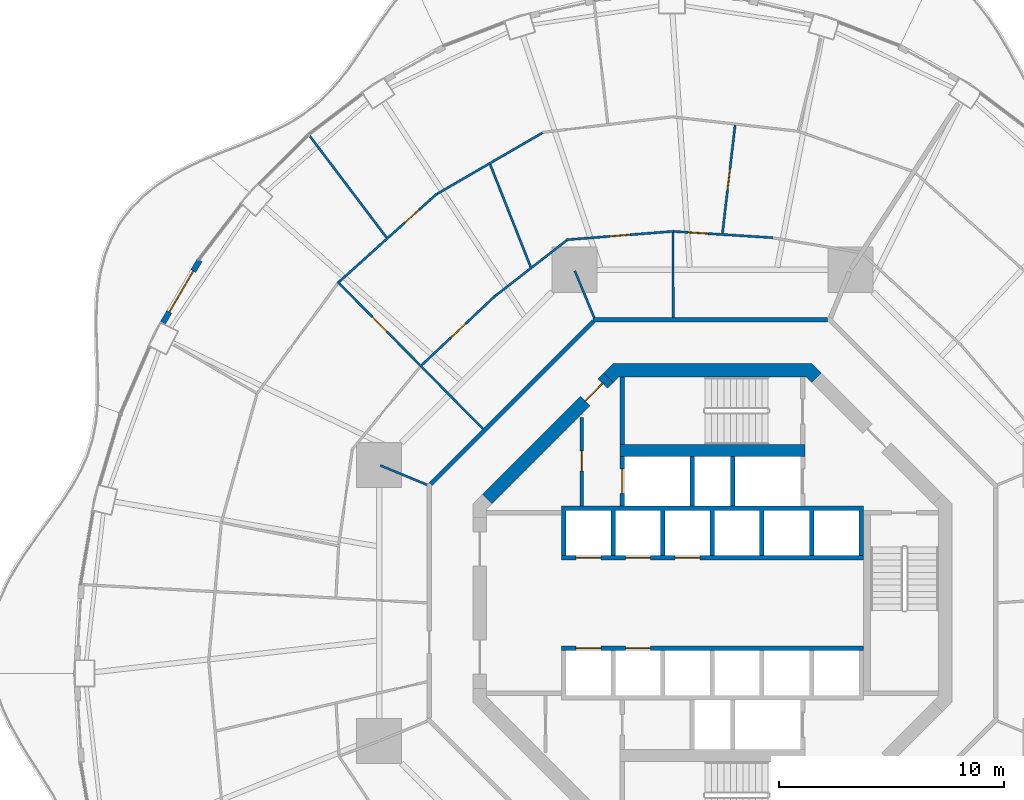
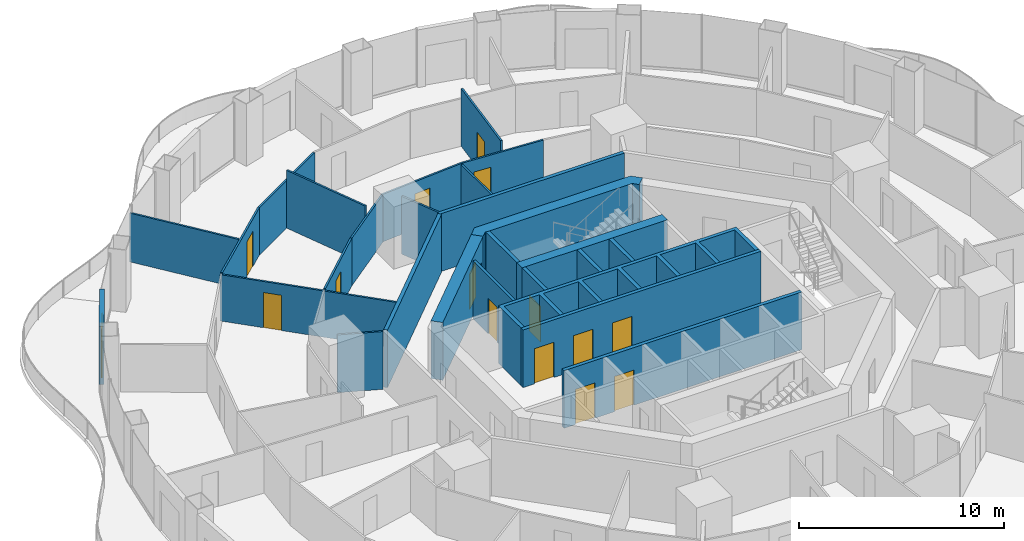
# One storey, part 14 of 19: 27 walls, 15 doors, 15 openings.
"""IFC4 building model written with IfcOpenShell, lengths in metres."""

from ifc_helpers import new_model, si_unit, direction, frame, frame_2d, origin, place, context, subcontext, project, spatial, polyline, rectangle, outline, extrude, material, layer, layer_set, type_object, element, fill, save


model = new_model("IFC4")

# Units and contexts
model_context = context("Model", 3, precision=1e-05, world=origin(), true_north=direction((0.0, 1.0)))
body_context = subcontext(model_context, "Body", "Model", "MODEL_VIEW")
ifc_project = project(units=[si_unit("LENGTHUNIT", "METRE"), si_unit("AREAUNIT", "SQUARE_METRE"), si_unit("VOLUMEUNIT", "CUBIC_METRE"), si_unit("PLANEANGLEUNIT", "RADIAN"), si_unit("MASSUNIT", "GRAM", prefix="KILO")], contexts=[model_context])

# Site, building, storey
site_placement = place(None, origin())
site = spatial("IfcSite", under=ifc_project, at=site_placement, CompositionType="ELEMENT")
building_placement = place(site_placement, origin())
building = spatial("IfcBuilding", under=site, at=building_placement, Name="Nagisa Residences", CompositionType="ELEMENT")
storey_placement = place(building_placement, frame((0.0, 0.0, 149.199951171875)))
storey = spatial("IfcBuildingStorey", under=building, at=storey_placement, Name="L37", CompositionType="ELEMENT", Elevation=149.199951171875)

# Walls
ifc_material_1 = material(Name="Gypsum board on steel studs", Category="steel")
ifc_layer_1 = layer(ifc_material_1, 0.199951171875)
ifc_layer_set_1 = layer_set([ifc_layer_1], Name="Apartment entry wall EI60 200")
wall_type_1 = type_object("IfcWallType", Name="Apartment entry wall EI60 200", PredefinedType="PARTITIONING", material=ifc_layer_set_1)
wall_1_placement = place(storey_placement, frame((5.1044921875, 12.564697265625, 0.0), z_axis=(0.0, 0.0, 1.0), x_axis=(-1.0, 0.0, 0.0)))
element("IfcWall", 1, at=wall_1_placement, inside=storey, type_object=wall_type_1, Name="wall:L37:u06", PredefinedType="PARTITIONING", context=body_context, shape_type="SweptSolid", body=[
    extrude(rectangle(XDim=10.408935546875, YDim=0.199951171875, at=frame_2d((5.20458984375, 0.0))), origin(), (0.0, 0.0, 1.0), 3.43994140625),
])
wall_2_placement = place(storey_placement, frame((-5.275146484375, 12.494140625, 0.0), z_axis=(0.0, 0.0, 1.0), x_axis=(-0.707106781187, -0.707106781187, 0.0)))
element("IfcWall", 2, at=wall_2_placement, inside=storey, type_object=wall_type_1, Name="wall:L37:u07", PredefinedType="PARTITIONING", context=body_context, shape_type="SweptSolid", body=[
    extrude(rectangle(XDim=10.209228515625, YDim=0.199951171875, at=frame_2d((5.1044921875, 0.0))), origin(), (0.0, 0.0, 1.0), 3.43994140625),
])

# Wall, opening, door
ifc_material_2 = material(Name="Gypsum board on steel studs", Category="steel")
ifc_layer_2 = layer(ifc_material_2, 0.10009765625)
ifc_layer_set_2 = layer_set([ifc_layer_2], Name="Apartment partition 100")
wall_type_2 = type_object("IfcWallType", Name="Apartment partition 100", PredefinedType="PARTITIONING", material=ifc_layer_set_2)
wall_3_placement = place(storey_placement, frame((2.6845703125, 16.2021484375, 0.0), z_axis=(0.0, 0.0, 1.0), x_axis=(-0.998000808042, 0.063201164138, 0.0)))
wall_3 = element("IfcWall", 3, at=wall_3_placement, inside=storey, type_object=wall_type_2, Name="wall:L37:u30", PredefinedType="PARTITIONING", context=body_context, shape_type="SweptSolid", body=[
    extrude(rectangle(XDim=4.39599609375, YDim=0.10009765625, at=frame_2d((2.197998046875, 0.0))), origin(), (0.0, 0.0, 1.0), 2.828125),
])
opening_1_placement = place(wall_3_placement, frame((2.8720703125, 0.0, 0.0)))
opening_1 = element("IfcOpeningElement", 4, at=opening_1_placement, cuts=wall_3, Name="Opening L37-U45", PredefinedType="OPENING", context=body_context, shape_type="SweptSolid", body=[
    extrude(rectangle(XDim=0.89990234375, YDim=2.10009765625, at=frame_2d((0.449951171875, 1.050048828125))), frame((0.0, 0.06005859375, 0.0), z_axis=(0.0, -1.0, 0.0), x_axis=(1.0, 0.0, 0.0)), (0.0, 0.0, 1.0), 0.1201171875),
])
ifc_material_3 = material(Name="Timber door set", Category="wood")
door_type_1 = type_object("IfcDoorType", Name="Apartment door 900x2100", OperationType="NOTDEFINED", PredefinedType="DOOR", material=ifc_material_3)
door_1_placement = place(opening_1_placement, origin())
door_1 = element("IfcDoor", 5, at=door_1_placement, inside=storey, type_object=door_type_1, Name="Door to store, Apartment 37B", OperationType="SINGLE_SWING_LEFT", OverallHeight=2.10009765625, OverallWidth=0.89990234375, PredefinedType="DOOR", context=body_context, shape_type="SweptSolid", body=[
    extrude(rectangle(XDim=0.89990234375, YDim=2.10009765625, at=frame_2d((0.449951171875, 1.050048828125))), frame((0.0, 0.02490234375, 0.0), z_axis=(0.0, -1.0, 0.0), x_axis=(1.0, 0.0, 0.0)), (0.0, 0.0, 1.0), 0.050048828125),
])
fill(opening_1, door_1)

wall_4_placement = place(storey_placement, frame((0.447021484375, 16.393798828125, 0.0), z_axis=(0.0, 0.0, 1.0), x_axis=(0.11594133888, 0.993256062624, 0.0)))
wall_4 = element("IfcWall", 6, at=wall_4_placement, inside=storey, type_object=wall_type_2, Name="wall:L37:u33", PredefinedType="PARTITIONING", context=body_context, shape_type="SweptSolid", body=[
    extrude(rectangle(XDim=4.83251953125, YDim=0.10009765625, at=frame_2d((2.416259765625, 0.0))), origin(), (0.0, 0.0, 1.0), 3.43994140625),
])
opening_2_placement = place(wall_4_placement, frame((1.96630859375, 0.0, 0.0)))
opening_2 = element("IfcOpeningElement", 7, at=opening_2_placement, cuts=wall_4, Name="Opening L37-U47", PredefinedType="OPENING", context=body_context, shape_type="SweptSolid", body=[
    extrude(rectangle(XDim=0.89990234375, YDim=2.10009765625, at=frame_2d((0.449951171875, 1.050048828125))), frame((0.0, 0.06005859375, 0.0), z_axis=(0.0, -1.0, 0.0), x_axis=(1.0, 0.0, 0.0)), (0.0, 0.0, 1.0), 0.1201171875),
])
door_2_placement = place(opening_2_placement, frame((0.89990234375, 0.0, 0.0), x_axis=(-1.0, 0.0, 0.0)))
door_2 = element("IfcDoor", 8, at=door_2_placement, inside=storey, type_object=door_type_1, Name="Door to study, Apartment 37B", OperationType="SINGLE_SWING_RIGHT", OverallHeight=2.10009765625, OverallWidth=0.89990234375, PredefinedType="DOOR", context=body_context, shape_type="SweptSolid", body=[
    extrude(rectangle(XDim=0.89990234375, YDim=2.10009765625, at=frame_2d((0.449951171875, 1.050048828125))), frame((0.0, 0.02490234375, 0.0), z_axis=(0.0, -1.0, 0.0), x_axis=(1.0, 0.0, 0.0)), (0.0, 0.0, 1.0), 0.050048828125),
])
fill(opening_2, door_2)

# Wall
wall_5_placement = place(storey_placement, frame((-1.7353515625, 12.664794921875, 0.0), z_axis=(0.0, 0.0, 1.0), x_axis=(-0.004470314905, 0.999990008092, 0.0)))
element("IfcWall", 9, at=wall_5_placement, inside=storey, type_object=wall_type_2, Name="wall:L37:u34", PredefinedType="PARTITIONING", context=body_context, shape_type="SweptSolid", body=[
    extrude(rectangle(XDim=3.768310546875, YDim=0.10009765625, at=frame_2d((1.88427734375, 0.0))), origin(), (0.0, 0.0, 1.0), 2.756103515625),
])

# Wall, opening, door
wall_6_placement = place(storey_placement, frame((-1.70263671875, 16.487060546875, 0.0), z_axis=(0.0, 0.0, 1.0), x_axis=(-0.996909618175, -0.078557069641, 0.0)))
wall_6 = element("IfcWall", 10, at=wall_6_placement, inside=storey, type_object=wall_type_2, Name="wall:L37:u35", PredefinedType="PARTITIONING", context=body_context, shape_type="SweptSolid", body=[
    extrude(rectangle(XDim=4.7861328125, YDim=0.10009765625, at=frame_2d((2.39306640625, 0.0))), origin(), (0.0, 0.0, 1.0), 2.828125),
])
opening_3_placement = place(wall_6_placement, frame((1.943115234375, 0.0, 0.0)))
opening_3 = element("IfcOpeningElement", 11, at=opening_3_placement, cuts=wall_6, Name="Opening L37-U46", PredefinedType="OPENING", context=body_context, shape_type="SweptSolid", body=[
    extrude(rectangle(XDim=0.89990234375, YDim=2.10009765625, at=frame_2d((0.449951171875, 1.050048828125))), frame((0.0, 0.06005859375, 0.0), z_axis=(0.0, -1.0, 0.0), x_axis=(1.0, 0.0, 0.0)), (0.0, 0.0, 1.0), 0.1201171875),
])
door_3_placement = place(opening_3_placement, origin())
door_3 = element("IfcDoor", 12, at=door_3_placement, inside=storey, type_object=door_type_1, Name="Door to laundry, Apartment 37B", OperationType="SINGLE_SWING_RIGHT", OverallHeight=2.10009765625, OverallWidth=0.89990234375, PredefinedType="DOOR", context=body_context, shape_type="SweptSolid", body=[
    extrude(rectangle(XDim=0.89990234375, YDim=2.10009765625, at=frame_2d((0.449951171875, 1.050048828125))), frame((0.0, 0.02490234375, 0.0), z_axis=(0.0, -1.0, 0.0), x_axis=(1.0, 0.0, 0.0)), (0.0, 0.0, 1.0), 0.050048828125),
])
fill(opening_3, door_3)

# Walls
wall_7_placement = place(storey_placement, frame((-5.24267578125, 12.6572265625, 0.0), z_axis=(0.0, 0.0, 1.0), x_axis=(-0.382719158442, 0.923864733477, 0.0)))
element("IfcWall", 13, at=wall_7_placement, inside=storey, type_object=wall_type_2, Name="wall:L37:u38", PredefinedType="PARTITIONING", context=body_context, shape_type="SweptSolid", body=[
    extrude(rectangle(XDim=2.25, YDim=0.10009765625, at=frame_2d((1.125, 0.0))), origin(), (0.0, 0.0, 1.0), 3.43994140625),
])
wall_8_placement = place(storey_placement, frame((-6.46337890625, 16.084228515625, 0.0), z_axis=(0.0, 0.0, 1.0), x_axis=(-0.789457442969, -0.613805299538, 0.0)))
element("IfcWall", 14, at=wall_8_placement, inside=storey, type_object=wall_type_2, Name="wall:L37:u39", PredefinedType="PARTITIONING", context=body_context, shape_type="SweptSolid", body=[
    extrude(rectangle(XDim=3.997314453125, YDim=0.10009765625, at=frame_2d((1.99853515625, 0.0))), origin(), (0.0, 0.0, 1.0), 2.828125),
])
wall_9_placement = place(storey_placement, frame((-7.54296875, 20.8525390625, 0.0), z_axis=(0.0, 0.0, 1.0), x_axis=(-0.865086194899, -0.501623240485, 0.0)))
element("IfcWall", 15, at=wall_9_placement, inside=storey, type_object=wall_type_2, Name="wall:L37:u40", PredefinedType="PARTITIONING", context=body_context, shape_type="SweptSolid", body=[
    extrude(rectangle(XDim=5.39306640625, YDim=0.10009765625, at=frame_2d((2.696533203125, 0.0))), origin(), (0.0, 0.0, 1.0), 2.828125),
])
wall_10_placement = place(storey_placement, frame((-8.0595703125, 14.904052734375, 0.0), z_axis=(0.0, 0.0, 1.0), x_axis=(-0.367532408503, 0.930010714293, 0.0)))
element("IfcWall", 16, at=wall_10_placement, inside=storey, type_object=wall_type_2, Name="wall:L37:u41", PredefinedType="PARTITIONING", context=body_context, shape_type="SweptSolid", body=[
    extrude(rectangle(XDim=4.8916015625, YDim=0.10009765625, at=frame_2d((2.44580078125, 0.0))), origin(), (0.0, 0.0, 1.0), 3.43994140625),
])

# Wall, opening, door
wall_11_placement = place(storey_placement, frame((-9.6220703125, 13.63427734375, 0.0), z_axis=(0.0, 0.0, 1.0), x_axis=(-0.727710859679, -0.685884031528, 0.0)))
wall_11 = element("IfcWall", 17, at=wall_11_placement, inside=storey, type_object=wall_type_2, Name="wall:L37:u42", PredefinedType="PARTITIONING", context=body_context, shape_type="SweptSolid", body=[
    extrude(rectangle(XDim=4.500244140625, YDim=0.10009765625, at=frame_2d((2.25, 0.0))), origin(), (0.0, 0.0, 1.0), 2.828125),
])
opening_4_placement = place(wall_11_placement, frame((1.8251953125, 0.0, 0.0)))
opening_4 = element("IfcOpeningElement", 18, at=opening_4_placement, cuts=wall_11, Name="Opening L37-U42", PredefinedType="OPENING", context=body_context, shape_type="SweptSolid", body=[
    extrude(rectangle(XDim=0.89990234375, YDim=2.10009765625, at=frame_2d((0.449951171875, 1.050048828125))), frame((0.0, 0.06005859375, 0.0), z_axis=(0.0, -1.0, 0.0), x_axis=(1.0, 0.0, 0.0)), (0.0, 0.0, 1.0), 0.1201171875),
])
door_4_placement = place(opening_4_placement, origin())
door_4 = element("IfcDoor", 19, at=door_4_placement, inside=storey, type_object=door_type_1, Name="Door to laundry, Apartment 37B", OperationType="SINGLE_SWING_RIGHT", OverallHeight=2.10009765625, OverallWidth=0.89990234375, PredefinedType="DOOR", context=body_context, shape_type="SweptSolid", body=[
    extrude(rectangle(XDim=0.89990234375, YDim=2.10009765625, at=frame_2d((0.449951171875, 1.050048828125))), frame((0.0, 0.02490234375, 0.0), z_axis=(0.0, -1.0, 0.0), x_axis=(1.0, 0.0, 0.0)), (0.0, 0.0, 1.0), 0.050048828125),
])
fill(opening_4, door_4)

wall_12_placement = place(storey_placement, frame((-12.214599609375, 18.155517578125, 0.0), z_axis=(0.0, 0.0, 1.0), x_axis=(-0.743159001815, -0.669114861606, 0.0)))
wall_12 = element("IfcWall", 20, at=wall_12_placement, inside=storey, type_object=wall_type_2, Name="wall:L37:u43", PredefinedType="PARTITIONING", context=body_context, shape_type="SweptSolid", body=[
    extrude(rectangle(XDim=5.83935546875, YDim=0.10009765625, at=frame_2d((2.919677734375, 0.0))), origin(), (0.0, 0.0, 1.0), 2.828125),
])
opening_5_placement = place(wall_12_placement, frame((1.059814453125, 0.0, 0.0)))
opening_5 = element("IfcOpeningElement", 21, at=opening_5_placement, cuts=wall_12, Name="Opening L37-U41", PredefinedType="OPENING", context=body_context, shape_type="SweptSolid", body=[
    extrude(rectangle(XDim=0.89990234375, YDim=2.10009765625, at=frame_2d((0.449951171875, 1.050048828125))), frame((0.0, 0.06005859375, 0.0), z_axis=(0.0, -1.0, 0.0), x_axis=(1.0, 0.0, 0.0)), (0.0, 0.0, 1.0), 0.1201171875),
])
door_5_placement = place(opening_5_placement, frame((0.89990234375, 0.0, 0.0), x_axis=(-1.0, 0.0, 0.0)))
door_5 = element("IfcDoor", 22, at=door_5_placement, inside=storey, type_object=door_type_1, Name="Door to living room, Apartment 37B", OperationType="SINGLE_SWING_RIGHT", OverallHeight=2.10009765625, OverallWidth=0.89990234375, PredefinedType="DOOR", context=body_context, shape_type="SweptSolid", body=[
    extrude(rectangle(XDim=0.89990234375, YDim=2.10009765625, at=frame_2d((0.449951171875, 1.050048828125))), frame((0.0, 0.02490234375, 0.0), z_axis=(0.0, -1.0, 0.0), x_axis=(1.0, 0.0, 0.0)), (0.0, 0.0, 1.0), 0.050048828125),
])
fill(opening_5, door_5)

# Wall
wall_13_placement = place(storey_placement, frame((-14.451904296875, 16.208251953125, 0.0), z_axis=(0.0, 0.0, 1.0), x_axis=(-0.603267974074, 0.797538557975, 0.0)))
element("IfcWall", 23, at=wall_13_placement, inside=storey, type_object=wall_type_2, Name="wall:L37:u44", PredefinedType="PARTITIONING", context=body_context, shape_type="SweptSolid", body=[
    extrude(rectangle(XDim=5.764404296875, YDim=0.10009765625, at=frame_2d((2.88232421875, 0.0))), origin(), (0.0, 0.0, 1.0), 2.905029296875),
])

# Wall, opening, door
wall_14_placement = place(storey_placement, frame((-10.181640625, 7.72900390625, 0.0), z_axis=(0.0, 0.0, 1.0), x_axis=(-0.702927211734, 0.711261790766, 0.0)))
wall_14 = element("IfcWall", 24, at=wall_14_placement, inside=storey, type_object=wall_type_2, Name="wall:L37:u45", PredefinedType="PARTITIONING", context=body_context, shape_type="SweptSolid", body=[
    extrude(rectangle(XDim=9.16845703125, YDim=0.10009765625, at=frame_2d((4.584228515625, 0.0))), origin(), (0.0, 0.0, 1.0), 2.756103515625),
])
opening_6_placement = place(wall_14_placement, frame((6.066650390625, 0.0, 0.0)))
opening_6 = element("IfcOpeningElement", 25, at=opening_6_placement, cuts=wall_14, Name="Opening L37-U40", PredefinedType="OPENING", context=body_context, shape_type="SweptSolid", body=[
    extrude(rectangle(XDim=0.89990234375, YDim=2.10009765625, at=frame_2d((0.449951171875, 1.050048828125))), frame((0.0, 0.06005859375, 0.0), z_axis=(0.0, -1.0, 0.0), x_axis=(1.0, 0.0, 0.0)), (0.0, 0.0, 1.0), 0.1201171875),
])
door_6_placement = place(opening_6_placement, frame((0.89990234375, 0.0, 0.0), x_axis=(-1.0, 0.0, 0.0)))
door_6 = element("IfcDoor", 26, at=door_6_placement, inside=storey, type_object=door_type_1, Name="Door to kitchen, Apartment 37B", OperationType="SINGLE_SWING_LEFT", OverallHeight=2.10009765625, OverallWidth=0.89990234375, PredefinedType="DOOR", context=body_context, shape_type="SweptSolid", body=[
    extrude(rectangle(XDim=0.89990234375, YDim=2.10009765625, at=frame_2d((0.449951171875, 1.050048828125))), frame((0.0, 0.02490234375, 0.0), z_axis=(0.0, -1.0, 0.0), x_axis=(1.0, 0.0, 0.0)), (0.0, 0.0, 1.0), 0.050048828125),
])
fill(opening_6, door_6)

# Wall
wall_15_placement = place(storey_placement, frame((-12.6572265625, 5.24267578125, 0.0), z_axis=(0.0, 0.0, 1.0), x_axis=(-0.923864733477, 0.382719158442, 0.0)))
element("IfcWall", 27, at=wall_15_placement, inside=storey, type_object=wall_type_2, Name="wall:L37:u48", PredefinedType="PARTITIONING", context=body_context, shape_type="SweptSolid", body=[
    extrude(rectangle(XDim=2.25, YDim=0.10009765625, at=frame_2d((1.125, 0.0))), origin(), (0.0, 0.0, 1.0), 3.43994140625),
])

# Wall, opening, door
ifc_material_4 = material(Name="Precast concrete C40/50", Category="concrete")
ifc_layer_3 = layer(ifc_material_4, 0.25)
ifc_layer_set_3 = layer_set([ifc_layer_3], Name="BALCONY DOOR WALL 250")
wall_type_3 = type_object("IfcWallType", Name="BALCONY DOOR WALL 250", PredefinedType="SOLIDWALL", material=ifc_layer_set_3)
wall_16_placement = place(storey_placement, frame((-24.368408203125, 12.433837890625, 0.0), z_axis=(0.0, 0.0, 1.0), x_axis=(0.506314982873, 0.862348617508, 0.0)))
wall_16 = element("IfcWall", 28, at=wall_16_placement, inside=storey, type_object=wall_type_3, Name="wall:L37:bay19", PredefinedType="SOLIDWALL", context=body_context, shape_type="SweptSolid", body=[
    extrude(rectangle(XDim=3.20849609375, YDim=0.25, at=frame_2d((1.604248046875, 0.0))), origin(), (0.0, 0.0, 1.0), 3.43994140625),
])
opening_7_placement = place(wall_16_placement, frame((0.55419921875, 0.0, 0.0)))
opening_7 = element("IfcOpeningElement", 29, at=opening_7_placement, cuts=wall_16, Name="Opening BD-L37-07", PredefinedType="OPENING", context=body_context, shape_type="SweptSolid", body=[
    extrude(rectangle(XDim=2.10009765625, YDim=2.39990234375, at=frame_2d((1.050048828125, 1.199951171875))), frame((0.0, 0.135009765625, 0.0), z_axis=(0.0, -1.0, 0.0), x_axis=(1.0, 0.0, 0.0)), (0.0, 0.0, 1.0), 0.27001953125),
])
ifc_material_5 = material(Name="Aluminium and clear glass", Category="aluminium")
door_type_2 = type_object("IfcDoorType", Name="BALCONY SLIDING DOOR 2100x2400", OperationType="SLIDING_TO_LEFT", PredefinedType="DOOR", material=ifc_material_5)
door_7_placement = place(opening_7_placement, origin())
door_7 = element("IfcDoor", 30, at=door_7_placement, inside=storey, type_object=door_type_2, Name="door:L37:bay19", OperationType="SLIDING_TO_LEFT", OverallHeight=2.39990234375, OverallWidth=2.10009765625, PredefinedType="DOOR", context=body_context, shape_type="SweptSolid", body=[
    extrude(rectangle(XDim=2.10009765625, YDim=2.39990234375, at=frame_2d((1.050048828125, 1.199951171875))), frame((0.0, 0.02490234375, 0.0), z_axis=(0.0, -1.0, 0.0), x_axis=(1.0, 0.0, 0.0)), (0.0, 0.0, 1.0), 0.050048828125),
])
fill(opening_7, door_7)

ifc_material_6 = material(Name="Gypsum board on steel studs", Category="steel")
ifc_layer_4 = layer(ifc_material_6, 0.14990234375)
ifc_layer_set_4 = layer_set([ifc_layer_4], Name="Core partition 150")
wall_type_4 = type_object("IfcWallType", Name="Core partition 150", PredefinedType="PARTITIONING", material=ifc_layer_set_4)
wall_17_placement = place(storey_placement, frame((-5.800048828125, 4.300048828125, 0.0), z_axis=(0.0, 0.0, 1.0), x_axis=(0.0, 1.0, 0.0)))
wall_17 = element("IfcWall", 31, at=wall_17_placement, inside=storey, type_object=wall_type_4, Name="wall:L37:NWp", PredefinedType="PARTITIONING", context=body_context, shape_type="SweptSolid", body=[
    extrude(rectangle(XDim=3.927001953125, YDim=0.14990234375, at=frame_2d((1.96337890625, 0.0))), origin(), (0.0, 0.0, 1.0), 3.43994140625),
])
opening_8_placement = place(wall_17_placement, frame((1.551025390625, 0.0, 0.0)))
opening_8 = element("IfcOpeningElement", 32, at=opening_8_placement, cuts=wall_17, Name="Opening L37-C12", PredefinedType="OPENING", context=body_context, shape_type="SweptSolid", body=[
    extrude(rectangle(XDim=0.89990234375, YDim=2.10009765625, at=frame_2d((0.449951171875, 1.050048828125))), frame((0.0, 0.0849609375, 0.0), z_axis=(0.0, -1.0, 0.0), x_axis=(1.0, 0.0, 0.0)), (0.0, 0.0, 1.0), 0.169921875),
])
ifc_material_7 = material(Name="Steel fire door", Category="steel")
door_type_3 = type_object("IfcDoorType", Name="Fire door EI30 900x2100 single swing", OperationType="NOTDEFINED", PredefinedType="DOOR", material=ifc_material_7)
door_8_placement = place(opening_8_placement, origin())
door_8 = element("IfcDoor", 33, at=door_8_placement, inside=storey, type_object=door_type_3, Name="Hose reel room door L37", OperationType="SINGLE_SWING_LEFT", OverallHeight=2.10009765625, OverallWidth=0.89990234375, PredefinedType="DOOR", context=body_context, shape_type="SweptSolid", body=[
    extrude(rectangle(XDim=0.89990234375, YDim=2.10009765625, at=frame_2d((0.449951171875, 1.050048828125))), frame((0.0, 0.02490234375, 0.0), z_axis=(0.0, -1.0, 0.0), x_axis=(1.0, 0.0, 0.0)), (0.0, 0.0, 1.0), 0.050048828125),
])
fill(opening_8, door_8)

ifc_material_8 = material(Name="Concrete C60", Category="concrete")
ifc_layer_5 = layer(ifc_material_8, 0.60009765625)
ifc_layer_set_5 = layer_set([ifc_layer_5], Name="Core shear wall 600")
wall_type_5 = type_object("IfcWallType", Name="Core shear wall 600", PredefinedType="SHEAR", material=ifc_layer_set_5)
wall_18_placement = place(storey_placement, frame((-4.613037109375, 9.98828125, 0.0), z_axis=(0.0, 0.0, 1.0), x_axis=(-0.707106781187, -0.707106781187, 0.0)))
wall_18 = element("IfcWall", 34, at=wall_18_placement, inside=storey, type_object=wall_type_5, Name="wall:L37:core:flat3", PredefinedType="SHEAR", context=body_context, shape_type="SweptSolid", body=[
    extrude(rectangle(XDim=7.601806640625, YDim=0.60009765625, at=frame_2d((3.80078125, 0.0))), origin(), (0.0, 0.0, 1.0), 3.43994140625),
])
opening_9_placement = place(wall_18_placement, frame((0.350830078125, 0.0, 0.0)))
opening_9 = element("IfcOpeningElement", 35, at=opening_9_placement, cuts=wall_18, Name="Opening L37-C19", PredefinedType="OPENING", context=body_context, shape_type="SweptSolid", body=[
    extrude(rectangle(XDim=1.10009765625, YDim=2.10009765625, at=frame_2d((0.550048828125, 1.050048828125))), frame((0.0, 0.31005859375, 0.0), z_axis=(0.0, -1.0, 0.0), x_axis=(1.0, 0.0, 0.0)), (0.0, 0.0, 1.0), 0.6201171875),
])
ifc_material_9 = material(Name="Steel fire door", Category="steel")
door_type_4 = type_object("IfcDoorType", Name="Fire door EI60 1100x2100 single swing", OperationType="NOTDEFINED", PredefinedType="DOOR", material=ifc_material_9)
door_9_placement = place(opening_9_placement, origin())
door_9 = element("IfcDoor", 36, at=door_9_placement, inside=storey, type_object=door_type_4, Name="Service lobby door L37", OperationType="SINGLE_SWING_LEFT", OverallHeight=2.10009765625, OverallWidth=1.10009765625, PredefinedType="DOOR", context=body_context, shape_type="SweptSolid", body=[
    extrude(rectangle(XDim=1.10009765625, YDim=2.10009765625, at=frame_2d((0.550048828125, 1.050048828125))), frame((0.0, 0.02490234375, 0.0), z_axis=(0.0, -1.0, 0.0), x_axis=(1.0, 0.0, 0.0)), (0.0, 0.0, 1.0), 0.050048828125),
])
fill(opening_9, door_9)

# Wall
wall_19_placement = place(storey_placement, origin())
element("IfcWall", 37, at=wall_19_placement, inside=storey, type_object=wall_type_5, Name="wall:L37:core:flat2", PredefinedType="SHEAR", context=body_context, shape_type="SweptSolid", body=[
    extrude(outline(polyline([(-4.15234375, 10.024658203125), (-4.40087890625, 9.776123046875), (-4.8251953125, 10.200439453125), (-4.40087890625, 10.62451171875), (4.40087890625, 10.62451171875), (4.8251953125, 10.200439453125), (4.40087890625, 9.776123046875), (4.15234375, 10.024658203125), (-4.15234375, 10.024658203125)])), origin(), (0.0, 0.0, 1.0), 3.43994140625),
])

# Wall, opening, door
ifc_material_10 = material(Name="Concrete C60", Category="concrete")
ifc_layer_6 = layer(ifc_material_10, 0.199951171875)
ifc_layer_set_6 = layer_set([ifc_layer_6], Name="Lift shaft wall 200")
wall_type_6 = type_object("IfcWallType", Name="Lift shaft wall 200", PredefinedType="SOLIDWALL", material=ifc_layer_set_6)
wall_20_placement = place(storey_placement, frame((-4.0, 4.300048828125, 0.0), z_axis=(0.0, 0.0, 1.0), x_axis=(0.0, 1.0, 0.0)))
wall_20 = element("IfcWall", 38, at=wall_20_placement, inside=storey, type_object=wall_type_6, Name="wall:L37:Nb4", PredefinedType="SOLIDWALL", context=body_context, shape_type="SweptSolid", body=[
    extrude(rectangle(XDim=2.199951171875, YDim=0.199951171875, at=frame_2d((1.10009765625, 0.0))), origin(), (0.0, 0.0, 1.0), 3.43994140625),
])
opening_10_placement = place(wall_20_placement, frame((0.550048828125, 0.0, 0.0)))
opening_10 = element("IfcOpeningElement", 39, at=opening_10_placement, cuts=wall_20, Name="Opening L37-C08", PredefinedType="OPENING", context=body_context, shape_type="SweptSolid", body=[
    extrude(rectangle(XDim=1.10009765625, YDim=2.10009765625, at=frame_2d((0.550048828125, 1.050048828125))), frame((0.0, 0.10986328125, 0.0), z_axis=(0.0, -1.0, 0.0), x_axis=(1.0, 0.0, 0.0)), (0.0, 0.0, 1.0), 0.219970703125),
])
ifc_material_11 = material(Name="Stainless steel", Category="steel")
door_type_5 = type_object("IfcDoorType", Name="Lift landing door 1100x2100", OperationType="DOUBLE_DOOR_SLIDING", PredefinedType="DOOR", material=ifc_material_11)
door_10_placement = place(opening_10_placement, origin())
door_10 = element("IfcDoor", 40, at=door_10_placement, inside=storey, type_object=door_type_5, Name="Landing door SV L37", OperationType="DOUBLE_DOOR_SLIDING", OverallHeight=2.10009765625, OverallWidth=1.10009765625, PredefinedType="DOOR", context=body_context, shape_type="SweptSolid", body=[
    extrude(rectangle(XDim=1.10009765625, YDim=2.10009765625, at=frame_2d((0.550048828125, 1.050048828125))), frame((0.0, 0.02490234375, 0.0), z_axis=(0.0, -1.0, 0.0), x_axis=(1.0, 0.0, 0.0)), (0.0, 0.0, 1.0), 0.050048828125),
])
fill(opening_10, door_10)

# Wall, openings, doors
wall_21_placement = place(storey_placement, frame((-6.699951171875, 2.0, 0.0), z_axis=(0.0, 0.0, 1.0), x_axis=(1.0, 0.0, 0.0)))
wall_21 = element("IfcWall", 41, at=wall_21_placement, inside=storey, type_object=wall_type_6, Name="wall:L37:Nfront", PredefinedType="SOLIDWALL", context=body_context, shape_type="SweptSolid", body=[
    extrude(rectangle(XDim=13.39990234375, YDim=0.199951171875, at=frame_2d((6.699951171875, 0.0))), origin(), (0.0, 0.0, 1.0), 3.43994140625),
])
opening_11_placement = place(wall_21_placement, frame((0.64990234375, 0.0, 0.0)))
opening_11 = element("IfcOpeningElement", 42, at=opening_11_placement, cuts=wall_21, Name="Opening L37-C01", PredefinedType="OPENING", context=body_context, shape_type="SweptSolid", body=[
    extrude(rectangle(XDim=1.10009765625, YDim=2.10009765625, at=frame_2d((0.550048828125, 1.050048828125))), frame((0.0, 0.10986328125, 0.0), z_axis=(0.0, -1.0, 0.0), x_axis=(1.0, 0.0, 0.0)), (0.0, 0.0, 1.0), 0.219970703125),
])
opening_12_placement = place(wall_21_placement, frame((2.85009765625, 0.0, 0.0)))
opening_12 = element("IfcOpeningElement", 43, at=opening_12_placement, cuts=wall_21, Name="Opening L37-C02", PredefinedType="OPENING", context=body_context, shape_type="SweptSolid", body=[
    extrude(rectangle(XDim=1.10009765625, YDim=2.10009765625, at=frame_2d((0.550048828125, 1.050048828125))), frame((0.0, 0.10986328125, 0.0), z_axis=(0.0, -1.0, 0.0), x_axis=(1.0, 0.0, 0.0)), (0.0, 0.0, 1.0), 0.219970703125),
])
opening_13_placement = place(wall_21_placement, frame((5.050048828125, 0.0, 0.0)))
opening_13 = element("IfcOpeningElement", 44, at=opening_13_placement, cuts=wall_21, Name="Opening L37-C03", PredefinedType="OPENING", context=body_context, shape_type="SweptSolid", body=[
    extrude(rectangle(XDim=1.10009765625, YDim=2.10009765625, at=frame_2d((0.550048828125, 1.050048828125))), frame((0.0, 0.10986328125, 0.0), z_axis=(0.0, -1.0, 0.0), x_axis=(1.0, 0.0, 0.0)), (0.0, 0.0, 1.0), 0.219970703125),
])
door_11_placement = place(opening_11_placement, origin())
door_11 = element("IfcDoor", 45, at=door_11_placement, inside=storey, type_object=door_type_5, Name="Landing door A1 L37", OperationType="DOUBLE_DOOR_SLIDING", OverallHeight=2.10009765625, OverallWidth=1.10009765625, PredefinedType="DOOR", context=body_context, shape_type="SweptSolid", body=[
    extrude(rectangle(XDim=1.10009765625, YDim=2.10009765625, at=frame_2d((0.550048828125, 1.050048828125))), frame((0.0, 0.02490234375, 0.0), z_axis=(0.0, -1.0, 0.0), x_axis=(1.0, 0.0, 0.0)), (0.0, 0.0, 1.0), 0.050048828125),
])
fill(opening_11, door_11)
door_12_placement = place(opening_12_placement, origin())
door_12 = element("IfcDoor", 46, at=door_12_placement, inside=storey, type_object=door_type_5, Name="Landing door A2 L37", OperationType="DOUBLE_DOOR_SLIDING", OverallHeight=2.10009765625, OverallWidth=1.10009765625, PredefinedType="DOOR", context=body_context, shape_type="SweptSolid", body=[
    extrude(rectangle(XDim=1.10009765625, YDim=2.10009765625, at=frame_2d((0.550048828125, 1.050048828125))), frame((0.0, 0.02490234375, 0.0), z_axis=(0.0, -1.0, 0.0), x_axis=(1.0, 0.0, 0.0)), (0.0, 0.0, 1.0), 0.050048828125),
])
fill(opening_12, door_12)
door_13_placement = place(opening_13_placement, origin())
door_13 = element("IfcDoor", 47, at=door_13_placement, inside=storey, type_object=door_type_5, Name="Landing door A3 L37", OperationType="DOUBLE_DOOR_SLIDING", OverallHeight=2.10009765625, OverallWidth=1.10009765625, PredefinedType="DOOR", context=body_context, shape_type="SweptSolid", body=[
    extrude(rectangle(XDim=1.10009765625, YDim=2.10009765625, at=frame_2d((0.550048828125, 1.050048828125))), frame((0.0, 0.02490234375, 0.0), z_axis=(0.0, -1.0, 0.0), x_axis=(1.0, 0.0, 0.0)), (0.0, 0.0, 1.0), 0.050048828125),
])
fill(opening_13, door_13)

wall_22_placement = place(storey_placement, frame((-6.699951171875, -2.0, 0.0), z_axis=(0.0, 0.0, 1.0), x_axis=(1.0, 0.0, 0.0)))
wall_22 = element("IfcWall", 48, at=wall_22_placement, inside=storey, type_object=wall_type_6, Name="wall:L37:Sfront", PredefinedType="SOLIDWALL", context=body_context, shape_type="SweptSolid", body=[
    extrude(rectangle(XDim=13.39990234375, YDim=0.199951171875, at=frame_2d((6.699951171875, 0.0))), origin(), (0.0, 0.0, 1.0), 3.43994140625),
])
opening_14_placement = place(wall_22_placement, frame((0.64990234375, 0.0, 0.0)))
opening_14 = element("IfcOpeningElement", 49, at=opening_14_placement, cuts=wall_22, Name="Opening L37-C04", PredefinedType="OPENING", context=body_context, shape_type="SweptSolid", body=[
    extrude(rectangle(XDim=1.10009765625, YDim=2.10009765625, at=frame_2d((0.550048828125, 1.050048828125))), frame((0.0, 0.10986328125, 0.0), z_axis=(0.0, -1.0, 0.0), x_axis=(1.0, 0.0, 0.0)), (0.0, 0.0, 1.0), 0.219970703125),
])
opening_15_placement = place(wall_22_placement, frame((2.85009765625, 0.0, 0.0)))
opening_15 = element("IfcOpeningElement", 50, at=opening_15_placement, cuts=wall_22, Name="Opening L37-C05", PredefinedType="OPENING", context=body_context, shape_type="SweptSolid", body=[
    extrude(rectangle(XDim=1.10009765625, YDim=2.10009765625, at=frame_2d((0.550048828125, 1.050048828125))), frame((0.0, 0.10986328125, 0.0), z_axis=(0.0, -1.0, 0.0), x_axis=(1.0, 0.0, 0.0)), (0.0, 0.0, 1.0), 0.219970703125),
])
door_14_placement = place(opening_14_placement, origin())
door_14 = element("IfcDoor", 51, at=door_14_placement, inside=storey, type_object=door_type_5, Name="Landing door A4 L37", OperationType="DOUBLE_DOOR_SLIDING", OverallHeight=2.10009765625, OverallWidth=1.10009765625, PredefinedType="DOOR", context=body_context, shape_type="SweptSolid", body=[
    extrude(rectangle(XDim=1.10009765625, YDim=2.10009765625, at=frame_2d((0.550048828125, 1.050048828125))), frame((0.0, 0.02490234375, 0.0), z_axis=(0.0, -1.0, 0.0), x_axis=(1.0, 0.0, 0.0)), (0.0, 0.0, 1.0), 0.050048828125),
])
fill(opening_14, door_14)
door_15_placement = place(opening_15_placement, origin())
door_15 = element("IfcDoor", 52, at=door_15_placement, inside=storey, type_object=door_type_5, Name="Landing door A5 L37", OperationType="DOUBLE_DOOR_SLIDING", OverallHeight=2.10009765625, OverallWidth=1.10009765625, PredefinedType="DOOR", context=body_context, shape_type="SweptSolid", body=[
    extrude(rectangle(XDim=1.10009765625, YDim=2.10009765625, at=frame_2d((0.550048828125, 1.050048828125))), frame((0.0, 0.02490234375, 0.0), z_axis=(0.0, -1.0, 0.0), x_axis=(1.0, 0.0, 0.0)), (0.0, 0.0, 1.0), 0.050048828125),
])
fill(opening_15, door_15)

# Walls
for number, where, z_axis, x_axis, name in (
    (53, (-0.89990234375, 4.300048828125, 0.0), (0.0, 0.0, 1.0), (0.0, 1.0, 0.0), "wall:L37:Nb1"),
    (54, (0.89990234375, 4.300048828125, 0.0), (0.0, 0.0, 1.0), (0.0, 1.0, 0.0), "wall:L37:Nb2"),
):
    element("IfcWall", number, at=place(storey_placement, frame(where, z_axis=z_axis, x_axis=x_axis)), inside=storey, type_object=wall_type_6, Name=name, PredefinedType="SOLIDWALL", context=body_context, shape_type="SweptSolid", body=[
        extrude(rectangle(XDim=2.199951171875, YDim=0.199951171875, at=frame_2d((1.10009765625, 0.0))), origin(), (0.0, 0.0, 1.0), 3.43994140625),
    ])
wall_23_placement = place(storey_placement, origin())
element("IfcWall", 55, at=wall_23_placement, inside=storey, type_object=wall_type_6, Name="wall:L37:Nback", PredefinedType="SOLIDWALL", context=body_context, shape_type="SweptSolid", body=[
    extrude(outline(polyline([(-6.5, 2.10009765625), (-6.699951171875, 2.10009765625), (-6.699951171875, 4.300048828125), (6.699951171875, 4.300048828125), (6.699951171875, 2.10009765625), (6.5, 2.10009765625), (6.5, 4.10009765625), (4.5, 4.10009765625), (4.5, 2.10009765625), (4.300048828125, 2.10009765625), (4.300048828125, 4.10009765625), (2.300048828125, 4.10009765625), (2.300048828125, 2.10009765625), (2.10009765625, 2.10009765625), (2.10009765625, 4.10009765625), (0.10009765625, 4.10009765625), (0.10009765625, 2.10009765625), (-0.10009765625, 2.10009765625), (-0.10009765625, 4.10009765625), (-2.10009765625, 4.10009765625), (-2.10009765625, 2.10009765625), (-2.300048828125, 2.10009765625), (-2.300048828125, 4.10009765625), (-4.300048828125, 4.10009765625), (-4.300048828125, 2.10009765625), (-4.5, 2.10009765625), (-4.5, 4.10009765625), (-6.5, 4.10009765625), (-6.5, 2.10009765625)])), origin(), (0.0, 0.0, 1.0), 3.43994140625),
])
ifc_material_12 = material(Name="Concrete C60", Category="concrete")
ifc_layer_7 = layer(ifc_material_12, 0.199951171875)
ifc_layer_set_7 = layer_set([ifc_layer_7], Name="Stair enclosure wall 200")
wall_type_7 = type_object("IfcWallType", Name="Stair enclosure wall 200", PredefinedType="SOLIDWALL", material=ifc_layer_set_7)
wall_24_placement = place(storey_placement, origin())
element("IfcWall", 56, at=wall_24_placement, inside=storey, type_object=wall_type_7, Name="wall:L37:SN_w", PredefinedType="SOLIDWALL", context=body_context, shape_type="SweptSolid", body=[
    extrude(outline(polyline([(-3.89990234375, 7.024658203125), (-4.10009765625, 7.024658203125), (-4.10009765625, 10.024658203125), (-3.89990234375, 10.024658203125), (-3.89990234375, 7.024658203125)])), origin(), (0.0, 0.0, 1.0), 3.43994140625),
])
wall_25_placement = place(storey_placement, origin())
element("IfcWall", 57, at=wall_25_placement, inside=storey, type_object=wall_type_7, Name="wall:L37:SN_s", PredefinedType="SOLIDWALL", context=body_context, shape_type="SweptSolid", body=[
    extrude(outline(polyline([(4.10009765625, 6.5), (-4.10009765625, 6.5), (-4.10009765625, 7.024658203125), (4.10009765625, 7.024658203125), (4.10009765625, 6.5)])), origin(), (0.0, 0.0, 1.0), 3.43994140625),
])

save(model, "model.ifc")
